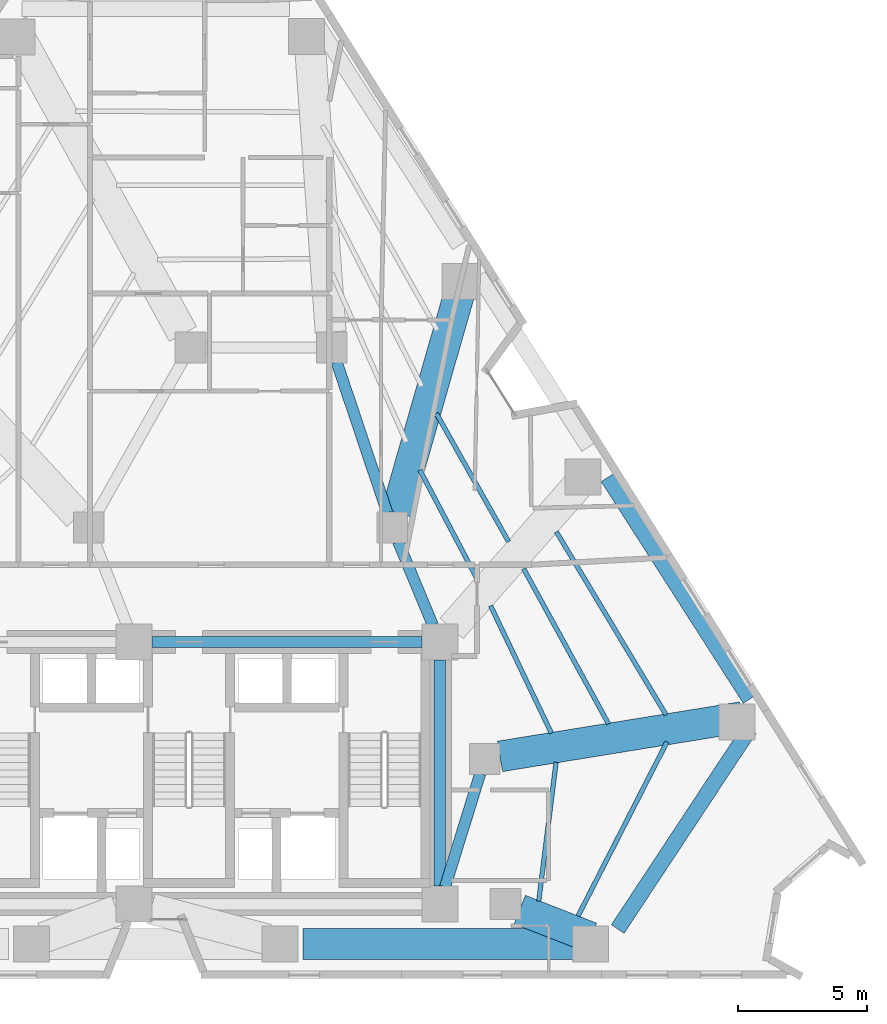
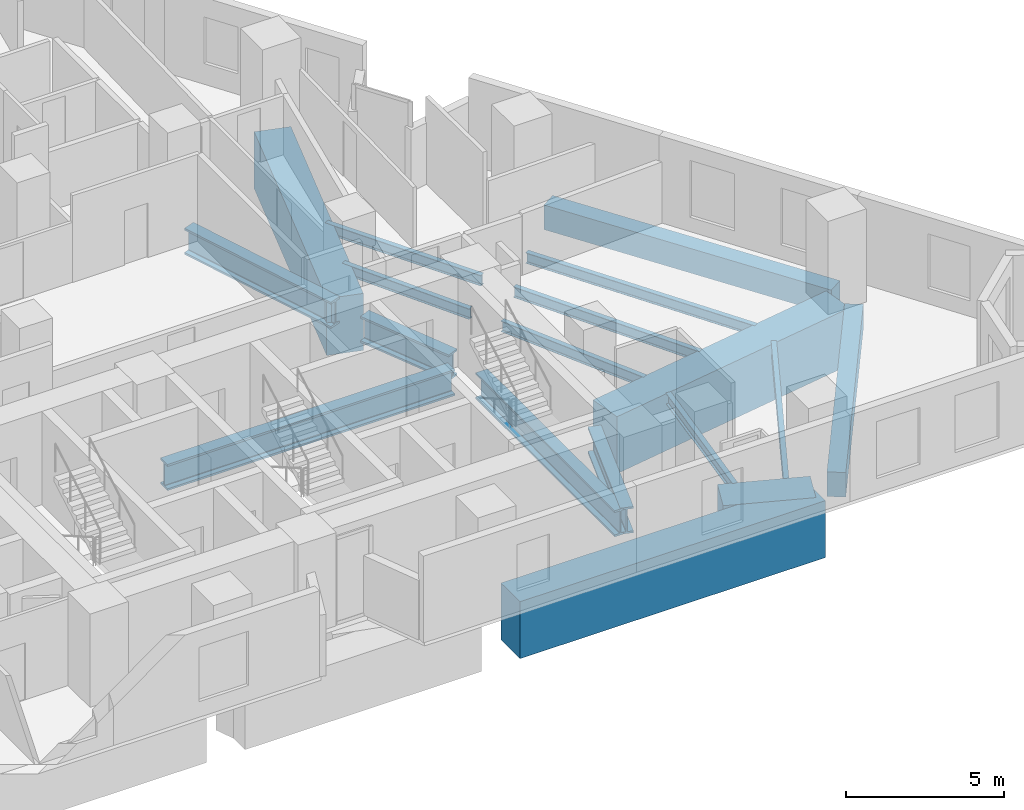
# One storey, part 4 of 13: 18 beams.
"""IFC4 building model written with IfcOpenShell, lengths in metres."""

from ifc_helpers import new_model, si_unit, direction, frame, origin, origin_2d, place, context, subcontext, project, spatial, rectangle, i_section, extrude, material, material_profile, profile_set, type_object, element, save


model = new_model("IFC4")

# Units and contexts
model_context = context("Model", 3, precision=1e-05, world=origin(), true_north=direction((0.0, 1.0)))
body_context = subcontext(model_context, "Body", "Model", "MODEL_VIEW")
ifc_project = project(units=[si_unit("LENGTHUNIT", "METRE"), si_unit("AREAUNIT", "SQUARE_METRE"), si_unit("VOLUMEUNIT", "CUBIC_METRE"), si_unit("PLANEANGLEUNIT", "RADIAN"), si_unit("MASSUNIT", "GRAM", prefix="KILO")], contexts=[model_context])

# Site, building, storey
site_placement = place(None, origin())
site = spatial("IfcSite", under=ifc_project, at=site_placement, CompositionType="ELEMENT")
building_placement = place(site_placement, origin())
building = spatial("IfcBuilding", under=site, at=building_placement, Name="Almagre Mirador Tower", CompositionType="ELEMENT")
storey_placement = place(building_placement, frame((0.0, 0.0, 53.39990234375)))
storey = spatial("IfcBuildingStorey", under=building, at=storey_placement, Name="L12", CompositionType="ELEMENT", Elevation=53.39990234375)

# Beams
ifc_material_1 = material(Name="Steel ASTM A992 Grade 50", Category="steel")
ifc_material_profile_1 = material_profile(ifc_material_1, i_section(OverallWidth=0.178955078125, OverallDepth=0.408935546875, WebThickness=0.0087890625, FlangeThickness=0.014404296875, FilletRadius=0.013916015625, at=origin_2d()), Name="W16X45")
ifc_profile_set_1 = profile_set([ifc_material_profile_1], Name="Steel ASTM A992 Grade 50")
beam_type_1 = type_object("IfcBeamType", Name="BM-JST-W16X45", PredefinedType="JOIST", material=ifc_profile_set_1)
beam_1_placement = place(storey_placement, frame((52.42822265625, 4.090087890625, -0.454345703125), z_axis=(0.454930536469, 0.890526926594, 0.0), x_axis=(-0.890526926594, 0.454930536469, 0.0)))
element("IfcBeam", 1, at=beam_1_placement, inside=storey, type_object=beam_type_1, Name="L12 secondary floor joist PC04-PC05.1", PredefinedType="JOIST", context=body_context, shape_type="SweptSolid", body=[
    extrude(i_section(OverallWidth=0.178955078125, OverallDepth=0.408935546875, WebThickness=0.0087890625, FlangeThickness=0.014404296875, FilletRadius=0.013916015625, at=origin_2d()), origin(), (0.0, 0.0, 1.0), 7.601806640625),
])
beam_2_placement = place(storey_placement, frame((50.89892578125, 4.6689453125, -0.454345703125), z_axis=(0.124007115261, 0.992281328739, 0.0), x_axis=(-0.992281328739, 0.124007115261, 0.0)))
element("IfcBeam", 2, at=beam_2_placement, inside=storey, type_object=beam_type_1, Name="L12 secondary floor joist PC04-PC05.3", PredefinedType="JOIST", context=body_context, shape_type="SweptSolid", body=[
    extrude(i_section(OverallWidth=0.178955078125, OverallDepth=0.408935546875, WebThickness=0.0087890625, FlangeThickness=0.014404296875, FilletRadius=0.013916015625, at=origin_2d()), origin(), (0.0, 0.0, 1.0), 5.439697265625),
])
beam_3_placement = place(storey_placement, frame((55.85107421875, 11.90869140625, -0.454345703125), z_axis=(-0.513864330916, 0.857871464389, 0.0), x_axis=(-0.857871464389, -0.513864330916, 0.0)))
element("IfcBeam", 3, at=beam_3_placement, inside=storey, type_object=beam_type_1, Name="L12 secondary floor joist PC05-PC06.1", PredefinedType="JOIST", context=body_context, shape_type="SweptSolid", body=[
    extrude(i_section(OverallWidth=0.178955078125, OverallDepth=0.408935546875, WebThickness=0.0087890625, FlangeThickness=0.014404296875, FilletRadius=0.013916015625, at=origin_2d()), origin(), (0.0, 0.0, 1.0), 8.303466796875),
])
beam_4_placement = place(storey_placement, frame((53.61572265625, 11.554443359375, -0.454345703125), z_axis=(-0.480028915635, 0.877252666086, 0.0), x_axis=(-0.877252666086, -0.480028915635, 0.0)))
element("IfcBeam", 4, at=beam_4_placement, inside=storey, type_object=beam_type_1, Name="L12 secondary floor joist PC05-PC06.2", PredefinedType="JOIST", context=body_context, shape_type="SweptSolid", body=[
    extrude(i_section(OverallWidth=0.178955078125, OverallDepth=0.408935546875, WebThickness=0.0087890625, FlangeThickness=0.014404296875, FilletRadius=0.013916015625, at=origin_2d()), origin(), (0.0, 0.0, 1.0), 6.887451171875),
])
beam_5_placement = place(storey_placement, frame((51.3896484375, 11.20361328125, -0.454345703125), z_axis=(-0.430717236594, 0.902486931817, 0.0), x_axis=(-0.902486931817, -0.430717236594, 0.0)))
element("IfcBeam", 5, at=beam_5_placement, inside=storey, type_object=beam_type_1, Name="L12 secondary floor joist PC05-PC06.3", PredefinedType="JOIST", context=body_context, shape_type="SweptSolid", body=[
    extrude(i_section(OverallWidth=0.178955078125, OverallDepth=0.408935546875, WebThickness=0.0087890625, FlangeThickness=0.014404296875, FilletRadius=0.013916015625, at=origin_2d()), origin(), (0.0, 0.0, 1.0), 5.489013671875),
])
beam_6_placement = place(storey_placement, frame((49.72705078125, 18.6455078125, -0.454345703125), z_axis=(-0.490815921464, 0.871263296161, 0.0), x_axis=(-0.871263296161, -0.490815921464, 0.0)))
element("IfcBeam", 6, at=beam_6_placement, inside=storey, type_object=beam_type_1, Name="L12 secondary floor joist PC06-PC07.2", PredefinedType="JOIST", context=body_context, shape_type="SweptSolid", body=[
    extrude(i_section(OverallWidth=0.178955078125, OverallDepth=0.408935546875, WebThickness=0.0087890625, FlangeThickness=0.014404296875, FilletRadius=0.013916015625, at=origin_2d()), origin(), (0.0, 0.0, 1.0), 5.724853515625),
])
beam_7_placement = place(storey_placement, frame((48.487548828125, 17.22998046875, -0.454345703125), z_axis=(-0.465835355282, 0.884871415387, 0.0), x_axis=(-0.884871415387, -0.465835355282, 0.0)))
element("IfcBeam", 7, at=beam_7_placement, inside=storey, type_object=beam_type_1, Name="L12 secondary floor joist PC06-PC07.3", PredefinedType="JOIST", context=body_context, shape_type="SweptSolid", body=[
    extrude(i_section(OverallWidth=0.178955078125, OverallDepth=0.408935546875, WebThickness=0.0087890625, FlangeThickness=0.014404296875, FilletRadius=0.013916015625, at=origin_2d()), origin(), (0.0, 0.0, 1.0), 4.75244140625),
])
ifc_material_2 = material(Name="Precast concrete C50/60", Category="concrete")
ifc_material_profile_2 = material_profile(ifc_material_2, rectangle(XDim=0.60009765625, YDim=0.949951171875, at=origin_2d()), Name="RC600X950")
ifc_profile_set_2 = profile_set([ifc_material_profile_2], Name="Precast concrete C50/60")
beam_type_2 = type_object("IfcBeamType", Name="BM-SPN-RC600X950", PredefinedType="SPANDREL", material=ifc_profile_set_2)
beam_8_placement = place(storey_placement, frame((53.9697265625, 3.584228515625, -0.724853515625), z_axis=(0.550976725149, 0.834520609898, 0.0), x_axis=(-0.834520609898, 0.550976725149, 0.0)))
element("IfcBeam", 8, at=beam_8_placement, inside=storey, type_object=beam_type_2, Name="L12 perimeter spandrel beam PC04-PC05", PredefinedType="SPANDREL", context=body_context, shape_type="SweptSolid", body=[
    extrude(rectangle(XDim=0.60009765625, YDim=0.949951171875, at=origin_2d()), origin(), (0.0, 0.0, 1.0), 9.304443359375),
])
beam_9_placement = place(storey_placement, frame((59.104248046875, 12.5224609375, -0.724853515625), z_axis=(-0.539549548581, 0.841953849463, 0.0), x_axis=(-0.841953849463, -0.539549548581, 0.0)))
element("IfcBeam", 9, at=beam_9_placement, inside=storey, type_object=beam_type_2, Name="L12 perimeter spandrel beam PC05-PC06", PredefinedType="SPANDREL", context=body_context, shape_type="SweptSolid", body=[
    extrude(rectangle(XDim=0.60009765625, YDim=0.949951171875, at=origin_2d()), origin(), (0.0, 0.0, 1.0), 10.239501953125),
])
ifc_material_3 = material(Name="Steel ASTM A992 Grade 50", Category="steel")
ifc_material_profile_3 = material_profile(ifc_material_3, i_section(OverallWidth=0.43701171875, OverallDepth=1.010986328125, WebThickness=0.041015625, FlangeThickness=0.073974609375, FilletRadius=0.028076171875, at=origin_2d()), Name="W36X529")
ifc_profile_set_3 = profile_set([ifc_material_profile_3], Name="Steel ASTM A992 Grade 50")
beam_type_3 = type_object("IfcBeamType", Name="BM-STL-W36X529", PredefinedType="BEAM", material=ifc_profile_set_3)
beam_10_placement = place(storey_placement, frame((35.85009765625, 14.75, -0.75537109375), z_axis=(1.0, 0.0, 0.0), x_axis=(0.0, 1.0, 0.0)))
element("IfcBeam", 10, at=beam_10_placement, inside=storey, type_object=beam_type_3, Name="L12 core tie girder CC5-CC6", PredefinedType="BEAM", context=body_context, shape_type="SweptSolid", body=[
    extrude(i_section(OverallWidth=0.43701171875, OverallDepth=1.010986328125, WebThickness=0.041015625, FlangeThickness=0.073974609375, FilletRadius=0.028076171875, at=origin_2d()), origin(), (0.0, 0.0, 1.0), 10.5),
])
beam_11_placement = place(storey_placement, frame((47.050048828125, 5.25, -0.75537109375), z_axis=(0.0, 1.0, 0.0), x_axis=(-1.0, 0.0, 0.0)))
element("IfcBeam", 11, at=beam_11_placement, inside=storey, type_object=beam_type_3, Name="L12 core tie girder CC3-CC6", PredefinedType="BEAM", context=body_context, shape_type="SweptSolid", body=[
    extrude(i_section(OverallWidth=0.43701171875, OverallDepth=1.010986328125, WebThickness=0.041015625, FlangeThickness=0.073974609375, FilletRadius=0.028076171875, at=origin_2d()), origin(), (0.0, 0.0, 1.0), 8.800048828125),
])
beam_12_placement = place(storey_placement, frame((48.62255859375, 9.626953125, -0.75537109375), z_axis=(-0.295888328273, -0.955222538046, 0.0), x_axis=(0.955222538046, -0.295888328273, 0.0)))
element("IfcBeam", 12, at=beam_12_placement, inside=storey, type_object=beam_type_3, Name="L12 core tie girder MC3-CC3", PredefinedType="BEAM", context=body_context, shape_type="SweptSolid", body=[
    extrude(i_section(OverallWidth=0.43701171875, OverallDepth=1.010986328125, WebThickness=0.041015625, FlangeThickness=0.073974609375, FilletRadius=0.028076171875, at=origin_2d()), origin(), (0.0, 0.0, 1.0), 4.61474609375),
])
beam_13_placement = place(storey_placement, frame((45.430419921875, 18.64599609375, -0.75537109375), z_axis=(0.383856635851, -0.923392702545, 0.0), x_axis=(0.923392702545, 0.383856635851, 0.0)))
element("IfcBeam", 13, at=beam_13_placement, inside=storey, type_object=beam_type_3, Name="L12 core tie girder MC5-CC6", PredefinedType="BEAM", context=body_context, shape_type="SweptSolid", body=[
    extrude(i_section(OverallWidth=0.43701171875, OverallDepth=1.010986328125, WebThickness=0.041015625, FlangeThickness=0.073974609375, FilletRadius=0.028076171875, at=origin_2d()), origin(), (0.0, 0.0, 1.0), 3.51904296875),
])
beam_14_placement = place(storey_placement, frame((43.041015625, 25.631103515625, -0.75537109375), z_axis=(0.318252395552, -0.948006019351, 0.0), x_axis=(0.948006019351, 0.318252395552, 0.0)))
element("IfcBeam", 14, at=beam_14_placement, inside=storey, type_object=beam_type_3, Name="L12 core tie girder MC6-MC5", PredefinedType="BEAM", context=body_context, shape_type="SweptSolid", body=[
    extrude(i_section(OverallWidth=0.43701171875, OverallDepth=1.010986328125, WebThickness=0.041015625, FlangeThickness=0.073974609375, FilletRadius=0.028076171875, at=origin_2d()), origin(), (0.0, 0.0, 1.0), 6.183837890625),
])
ifc_material_4 = material(Name="Concrete C60/75", Category="concrete")
ifc_material_profile_4 = material_profile(ifc_material_4, rectangle(XDim=1.199951171875, YDim=2.199951171875, at=origin_2d()), Name="RC1200X2200")
ifc_profile_set_4 = profile_set([ifc_material_profile_4], Name="Concrete C60/75")
beam_type_4 = type_object("IfcBeamType", Name="BM-XFER-RC1200X2200", PredefinedType="BEAM", material=ifc_profile_set_4)
beam_15_placement = place(storey_placement, frame((41.72412109375, 3.0, -1.349853515625), z_axis=(1.0, 0.0, 0.0), x_axis=(0.0, 1.0, 0.0)))
element("IfcBeam", 15, at=beam_15_placement, inside=storey, type_object=beam_type_4, Name="L12 perimeter spandrel beam PC03-PC04", PredefinedType="BEAM", context=body_context, shape_type="SweptSolid", body=[
    extrude(rectangle(XDim=1.199951171875, YDim=2.199951171875, at=origin_2d()), origin(), (0.0, 0.0, 1.0), 11.159912109375),
])
beam_16_placement = place(storey_placement, frame((52.931640625, 3.25390625, -1.349853515625), z_axis=(-0.931955378588, 0.362572988957, 0.0), x_axis=(-0.362572988957, -0.931955378588, 0.0)))
element("IfcBeam", 16, at=beam_16_placement, inside=storey, type_object=beam_type_4, Name="L12 radial transfer girder PC04-MC2", PredefinedType="BEAM", context=body_context, shape_type="SweptSolid", body=[
    extrude(rectangle(XDim=1.199951171875, YDim=2.199951171875, at=origin_2d()), origin(), (0.0, 0.0, 1.0), 2.974853515625),
])
beam_17_placement = place(storey_placement, frame((58.791015625, 11.82080078125, -1.349853515625), z_axis=(-0.987096387793, -0.160127203205, 0.0), x_axis=(0.160127203205, -0.987096387793, 0.0)))
element("IfcBeam", 17, at=beam_17_placement, inside=storey, type_object=beam_type_4, Name="L12 radial transfer girder PC05-MC3", PredefinedType="BEAM", context=body_context, shape_type="SweptSolid", body=[
    extrude(rectangle(XDim=1.199951171875, YDim=2.199951171875, at=origin_2d()), origin(), (0.0, 0.0, 1.0), 9.521484375),
])
beam_18_placement = place(storey_placement, frame((47.98486328125, 28.900146484375, -1.349853515625), z_axis=(-0.275954024649, -0.961170836158, 0.0), x_axis=(0.961170836158, -0.275954024649, 0.0)))
element("IfcBeam", 18, at=beam_18_placement, inside=storey, type_object=beam_type_4, Name="L12 radial transfer girder PC07-MC5", PredefinedType="BEAM", context=body_context, shape_type="SweptSolid", body=[
    extrude(rectangle(XDim=1.199951171875, YDim=2.199951171875, at=origin_2d()), origin(), (0.0, 0.0, 1.0), 9.4921875),
])

save(model, "model.ifc")
